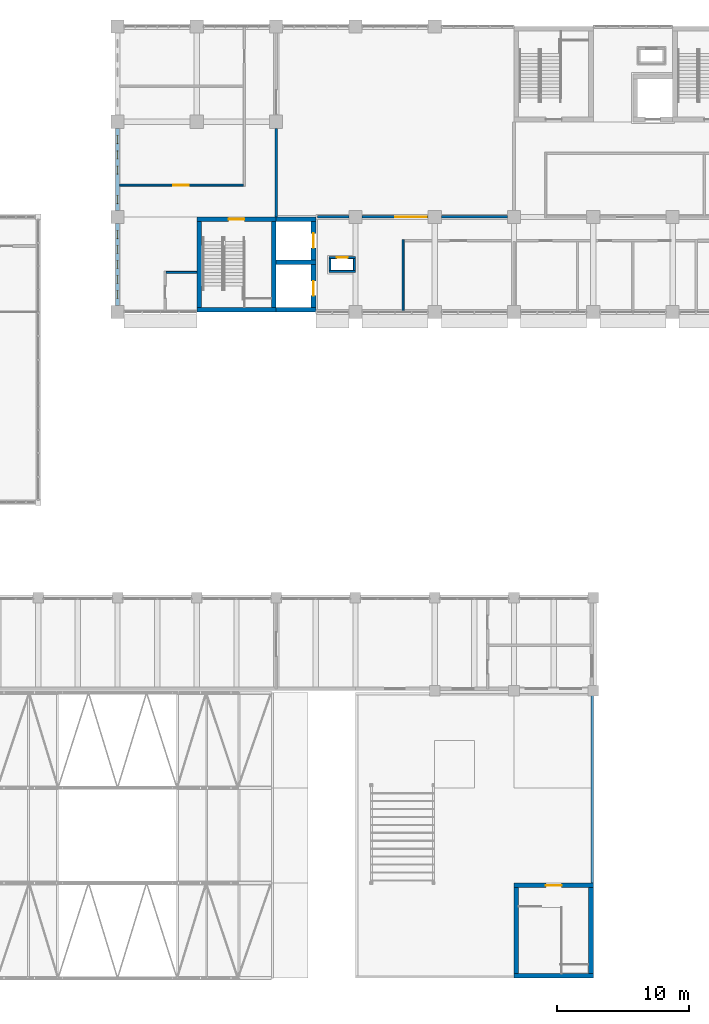
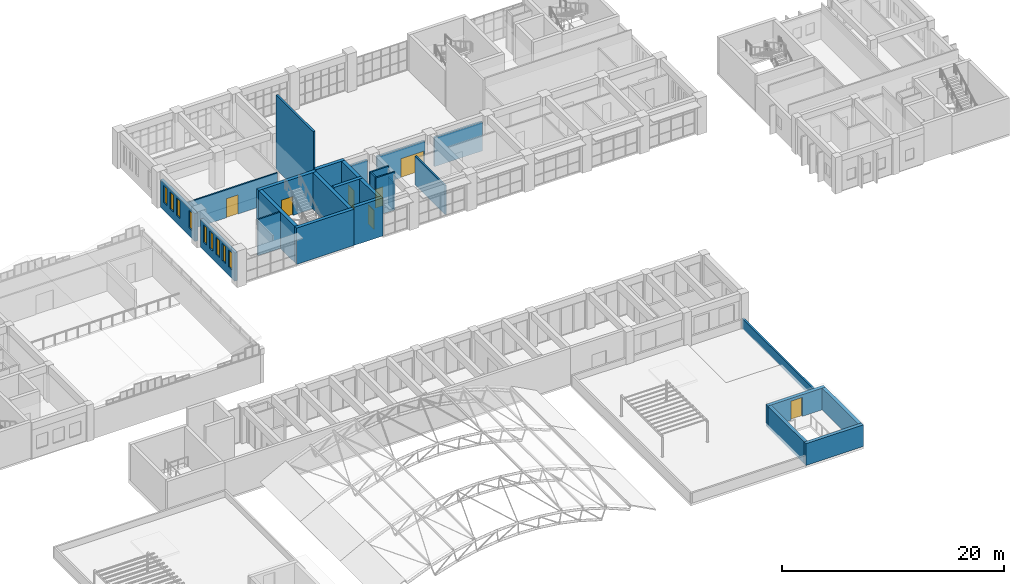
# One storey, part 63 of 92: 27 walls, 9 windows, 7 doors, 16 openings.
"""IFC4 building model written with IfcOpenShell, lengths in metres."""

import ifcopenshell
import ifcopenshell.guid

model = None  # the IFC model being written
_history = None  # IfcOwnerHistory: only IFC2X3 demands one
_inside = {}  # id of a spatial element -> (the spatial element, [elements in it])
_under = {}  # id of a project, library or spatial element -> (it, [spatial elements below it])
_declared = {}  # id of a project -> (the project, [libraries it declares])
_typed = {}  # id of a type object -> (the type object, [elements of that type])
_made_of = {}  # id of a material, layer set ... -> (it, [elements and type objects made of it])


def new_model(schema):
    """Start an empty IFC model of exactly this schema.

    Asked for "IFC4X3", IfcOpenShell would pick the latest addendum, in which some entities
    have other attributes; the version numbers below select the first issue.
    IFC2X3 requires an IfcOwnerHistory on every rooted entity: one is made here for all.
    """
    global model, _history
    if schema == "IFC4X3":
        model = ifcopenshell.file(schema_version=(4, 3, 0, 0))
    else:
        model = ifcopenshell.file(schema=schema)
    _inside.clear()
    _under.clear()
    _declared.clear()
    _typed.clear()
    _made_of.clear()
    _history = None
    if model.schema == "IFC2X3":
        org = make("IfcOrganization", Name="unknown")
        user = make(
            "IfcPersonAndOrganization",
            ThePerson=make("IfcPerson", FamilyName="unknown"),
            TheOrganization=org,
        )
        app = make(
            "IfcApplication",
            ApplicationDeveloper=org,
            Version="unknown",
            ApplicationFullName="unknown",
            ApplicationIdentifier="unknown",
        )
        _history = make(
            "IfcOwnerHistory",
            OwningUser=user,
            OwningApplication=app,
            ChangeAction="ADDED",
            CreationDate=0,
        )
    return model


def make(cls, **values):
    """One entity of the class cls with the attributes given. An attribute that is None is left unset."""
    return model.create_entity(
        cls, **{name: value for name, value in values.items() if value is not None}
    )


def rooted(cls, **values):
    """An entity with a GlobalId (a new one), such as an element, a storey or a relation."""
    return make(cls, GlobalId=ifcopenshell.guid.new(), OwnerHistory=_history, **values)


def si_unit(unit_type, name, prefix=None):
    """IfcSIUnit, for example si_unit("LENGTHUNIT", "METRE", prefix="MILLI")."""
    return make("IfcSIUnit", UnitType=unit_type, Prefix=prefix, Name=name)


def assignment(units):
    """IfcUnitAssignment: the units of a project."""
    return None if units is None else make("IfcUnitAssignment", Units=units)


def point(xyz):
    """IfcCartesianPoint."""
    return None if xyz is None else make("IfcCartesianPoint", Coordinates=xyz)


def direction(xyz):
    """IfcDirection."""
    return None if xyz is None else make("IfcDirection", DirectionRatios=xyz)


def frame(location, z_axis=None, x_axis=None):
    """IfcAxis2Placement3D, a coordinate frame: its origin and axes. An axis left out is left unset."""
    return make(
        "IfcAxis2Placement3D",
        Location=point(location),
        Axis=direction(z_axis),
        RefDirection=direction(x_axis),
    )


def frame_2d(location, x_axis=None):
    """IfcAxis2Placement2D, a coordinate frame in the plane: its origin and x axis."""
    return make(
        "IfcAxis2Placement2D", Location=point(location), RefDirection=direction(x_axis)
    )


def origin():
    """The frame at (0, 0, 0) with its axes left unset."""
    return frame((0.0, 0.0, 0.0))


def place(relative_to, where):
    """IfcLocalPlacement: puts the frame where relative to a parent placement (None: the world)."""
    return make(
        "IfcLocalPlacement", PlacementRelTo=relative_to, RelativePlacement=where
    )


def context(
    kind, dimensions, precision=None, world=None, true_north=None, identifier=None
):
    """IfcGeometricRepresentationContext, for example the 3D "Model" context."""
    return make(
        "IfcGeometricRepresentationContext",
        ContextIdentifier=identifier,
        ContextType=kind,
        CoordinateSpaceDimension=dimensions,
        Precision=precision,
        WorldCoordinateSystem=world,
        TrueNorth=true_north,
    )


def subcontext(parent, identifier, kind, view, scale=None):
    """IfcGeometricRepresentationSubContext, for example "Body" below "Model"."""
    return make(
        "IfcGeometricRepresentationSubContext",
        ContextIdentifier=identifier,
        ContextType=kind,
        ParentContext=parent,
        TargetScale=scale,
        TargetView=view,
    )


def project(units=None, contexts=None):
    """IfcProject with its units and contexts."""
    return rooted(
        "IfcProject",
        Name="project",
        RepresentationContexts=contexts,
        UnitsInContext=assignment(units),
    )


def spatial(cls, under=None, at=None, **own):
    """A site, building, storey or space (cls), placed at a placement, below another one or the project."""
    s = rooted(cls, ObjectPlacement=at, **own)
    if under is not None:
        _under.setdefault(under.id(), (under, []))[1].append(s)
    return s


def profile(cls, at=None, kind="AREA", **sizes):
    """A parametric profile (cls). Its sizes go by their IFC names, for example OverallWidth=200.0."""
    return make(cls, ProfileType=kind, Position=at, **sizes)


def rectangle(**sizes):
    """IfcRectangleProfileDef."""
    return profile("IfcRectangleProfileDef", **sizes)


def extrude(swept, where, along, depth):
    """IfcExtrudedAreaSolid: the profile swept, set in the frame where, extruded along a direction by depth."""
    return make(
        "IfcExtrudedAreaSolid",
        SweptArea=swept,
        Position=where,
        ExtrudedDirection=direction(along),
        Depth=depth,
    )


def shape(context_of_items, identifier, shape_type, items):
    """IfcShapeRepresentation: the items that make up one representation, for example the "Body"."""
    return make(
        "IfcShapeRepresentation",
        ContextOfItems=context_of_items,
        RepresentationIdentifier=identifier,
        RepresentationType=shape_type,
        Items=items,
    )


def material(Name=None, Category=None):
    """IfcMaterial."""
    return make("IfcMaterial", Name=Name, Category=Category)


def layer(
    of_material, thickness, ventilated=None, Name=None, Category=None, Priority=None
):
    """IfcMaterialLayer: one layer of a wall or slab, of a material (None: an air gap)."""
    return make(
        "IfcMaterialLayer",
        Material=of_material,
        LayerThickness=thickness,
        IsVentilated=ventilated,
        Name=Name,
        Category=Category,
        Priority=Priority,
    )


def layer_set(layers, Name=None):
    """IfcMaterialLayerSet."""
    return make("IfcMaterialLayerSet", MaterialLayers=layers, LayerSetName=Name)


def made_of(thing, what):
    """Note that an element or type object is made of a material, layer set ...; save() writes the relation."""
    if what is not None:
        _made_of.setdefault(what.id(), (what, []))[1].append(thing)
    return thing


def type_object(cls, material=None, **own):
    """A type object (cls), such as IfcWallType, which elements share."""
    return made_of(rooted(cls, **own), material)


def element(
    cls,
    number,
    at=None,
    inside=None,
    cuts=None,
    type_object=None,
    material=None,
    context=None,
    identifier="Body",
    shape_type=None,
    held_by="IfcProductDefinitionShape",
    body=None,
    shapes=None,
    **own,
):
    """One element of the class cls, such as IfcWall. Its Tag is "e" and its number.

    at: its placement. inside: the storey or other place that contains it. cuts: it is an
    opening in that element (IfcRelVoidsElement). A single representation is given by context,
    identifier, shape_type and body (its items); several are given by shapes. held_by: the class
    of the entity that holds the representations. save() writes the other relations.
    """
    e = rooted(cls, Tag="e%d" % number, ObjectPlacement=at, **own)
    if body is not None:
        shapes = [shape(context, identifier, shape_type, body)]
    if shapes is not None:
        e.Representation = make(held_by, Representations=shapes)
    if inside is not None:
        _inside.setdefault(inside.id(), (inside, []))[1].append(e)
    if cuts is not None:
        rooted(
            "IfcRelVoidsElement", RelatingBuildingElement=cuts, RelatedOpeningElement=e
        )
    if type_object is not None:
        _typed.setdefault(type_object.id(), (type_object, []))[1].append(e)
    return made_of(e, material)


def fill(opening, filler):
    """IfcRelFillsElement: the door or window that sits in an opening."""
    return rooted(
        "IfcRelFillsElement",
        RelatingOpeningElement=opening,
        RelatedBuildingElement=filler,
    )


def aggregate(whole, parts):
    """IfcRelAggregates: a whole, such as a stair, and the parts it consists of."""
    return rooted("IfcRelAggregates", RelatingObject=whole, RelatedObjects=parts)


def save(model, path):
    """Write the relations noted so far, then the file.

    IfcRelAggregates (storeys below a building ...), IfcRelContainedInSpatialStructure (elements
    in a storey), IfcRelDefinesByType, IfcRelAssociatesMaterial and IfcRelDeclares: one each for
    every whole, place, type object, material and project.
    """
    for whole, parts in _under.values():
        aggregate(whole, parts)
    for where, things in _inside.values():
        rooted(
            "IfcRelContainedInSpatialStructure",
            RelatedElements=things,
            RelatingStructure=where,
        )
    for kind, things in _typed.values():
        rooted("IfcRelDefinesByType", RelatedObjects=things, RelatingType=kind)
    for what, things in _made_of.values():
        rooted("IfcRelAssociatesMaterial", RelatedObjects=things, RelatingMaterial=what)
    for by, libraries in _declared.values():
        rooted("IfcRelDeclares", RelatingContext=by, RelatedDefinitions=libraries)
    model.write(path)


model = new_model("IFC4")

# Units and contexts
model_context = context("Model", 3, precision=1e-05, world=origin(), true_north=direction((0.0, 1.0)))
body_context = subcontext(model_context, "Body", "Model", "MODEL_VIEW")
ifc_project = project(units=[si_unit("LENGTHUNIT", "METRE"), si_unit("AREAUNIT", "SQUARE_METRE"), si_unit("VOLUMEUNIT", "CUBIC_METRE"), si_unit("PLANEANGLEUNIT", "RADIAN"), si_unit("MASSUNIT", "GRAM", prefix="KILO")], contexts=[model_context])

# Site, building, storey
site_placement = place(None, origin())
site = spatial("IfcSite", under=ifc_project, at=site_placement, CompositionType="ELEMENT")
building_placement = place(site_placement, origin())
building = spatial("IfcBuilding", under=site, at=building_placement, Name="Laocheng Heights Fire and Rescue Headquarters", CompositionType="ELEMENT")
storey_placement = place(building_placement, frame((0.0, 0.0, 12.60009765625)))
storey = spatial("IfcBuildingStorey", under=building, at=storey_placement, Name="L03", CompositionType="ELEMENT", Elevation=12.60009765625)

# Walls
ifc_material_1 = material(Name="Gypsum plaster")
ifc_layer_1 = layer(ifc_material_1, 0.010009765625, Name="PLASTER", Category="plaster")
ifc_material_2 = material(Name="Concrete blockwork MU10", Category="masonry")
ifc_layer_2 = layer(ifc_material_2, 0.1298828125, Name="BLOCKWORK", Category="masonry")
ifc_layer_3 = layer(ifc_material_1, 0.010009765625, Name="PLASTER", Category="plaster")
ifc_layer_set_1 = layer_set([ifc_layer_1, ifc_layer_2, ifc_layer_3], Name="Concrete blockwork MU10")
wall_type_1 = type_object("IfcWallType", Name="BLOCKWORK CORRIDOR WALL 150 EI 60 HQ WING", PredefinedType="PARTITIONING", material=ifc_layer_set_1)
wall_1_placement = place(storey_placement, frame((57.60009765625, 50.47509765625, 0.0), z_axis=(0.0, 0.0, 1.0), x_axis=(0.0, 1.0, 0.0)))
element("IfcWall", 1, at=wall_1_placement, inside=storey, type_object=wall_type_1, Name="Partition L03-005", PredefinedType="PARTITIONING", context=body_context, shape_type="SweptSolid", body=[
    extrude(rectangle(XDim=5.39990234375, YDim=0.14990234375, at=frame_2d((2.699951171875, 0.0))), origin(), (0.0, 0.0, 1.0), 3.199951171875),
])
wall_2_placement = place(storey_placement, frame((39.675048828125, 53.39990234375, 0.0), z_axis=(0.0, 0.0, 1.0), x_axis=(1.0, 0.0, 0.0)))
element("IfcWall", 2, at=wall_2_placement, inside=storey, type_object=wall_type_1, Name="Partition L03-013", PredefinedType="PARTITIONING", context=body_context, shape_type="SweptSolid", body=[
    extrude(rectangle(XDim=2.324951171875, YDim=0.14990234375, at=frame_2d((1.16259765625, 0.0))), origin(), (0.0, 0.0, 1.0), 4.0),
])

# Wall, opening, door
wall_3_placement = place(storey_placement, frame((36.14990234375, 60.0, 0.0), z_axis=(0.0, 0.0, 1.0), x_axis=(1.0, 0.0, 0.0)))
wall_3 = element("IfcWall", 3, at=wall_3_placement, inside=storey, type_object=wall_type_1, Name="Partition L03-022", PredefinedType="PARTITIONING", context=body_context, shape_type="SweptSolid", body=[
    extrude(rectangle(XDim=9.375, YDim=0.14990234375, at=frame_2d((4.6875, 0.0))), origin(), (0.0, 0.0, 1.0), 3.099853515625),
])
opening_1_placement = place(wall_3_placement, frame((4.050048828125, 0.0, 0.0)))
opening_1 = element("IfcOpeningElement", 4, at=opening_1_placement, cuts=wall_3, Name="Opening L03-Y12", PredefinedType="OPENING", context=body_context, shape_type="SweptSolid", body=[
    extrude(rectangle(XDim=1.199951171875, YDim=2.10009765625, at=frame_2d((0.60009765625, 1.050048828125))), frame((0.0, 0.0849609375, 0.0), z_axis=(0.0, -1.0, 0.0), x_axis=(1.0, 0.0, 0.0)), (0.0, 0.0, 1.0), 0.169921875),
])
ifc_material_3 = material(Name="Timber door leaf, veneered", Category="wood")
door_type_1 = type_object("IfcDoorType", Name="TIMBER DOOR 1200x2100 EI 30 HQ WING", OperationType="SINGLE_SWING_LEFT", PredefinedType="DOOR", material=ifc_material_3)
door_1_placement = place(opening_1_placement, origin())
door_1 = element("IfcDoor", 5, at=door_1_placement, inside=storey, type_object=door_type_1, Name="Door L03-Y12", OperationType="SINGLE_SWING_LEFT", OverallHeight=2.10009765625, OverallWidth=1.199951171875, PredefinedType="DOOR", context=body_context, shape_type="SweptSolid", body=[
    extrude(rectangle(XDim=1.199951171875, YDim=2.10009765625, at=frame_2d((0.60009765625, 1.050048828125))), frame((0.0, 0.02490234375, 0.0), z_axis=(0.0, -1.0, 0.0), x_axis=(1.0, 0.0, 0.0)), (0.0, 0.0, 1.0), 0.050048828125),
])
fill(opening_1, door_1)

# Walls
ifc_material_4 = material(Name="Gypsum plaster")
ifc_layer_4 = layer(ifc_material_4, 0.010009765625, Name="PLASTER", Category="plaster")
ifc_material_5 = material(Name="Concrete blockwork MU10", Category="masonry")
ifc_layer_5 = layer(ifc_material_5, 0.179931640625, Name="BLOCKWORK", Category="masonry")
ifc_layer_6 = layer(ifc_material_4, 0.010009765625, Name="PLASTER", Category="plaster")
ifc_layer_set_2 = layer_set([ifc_layer_4, ifc_layer_5, ifc_layer_6], Name="Concrete blockwork MU10")
wall_type_2 = type_object("IfcWallType", Name="BLOCKWORK FIRE PARTITION 200 EI 120 HQ WING", PredefinedType="PARTITIONING", material=ifc_layer_set_2)
wall_4_placement = place(storey_placement, frame((48.0, 57.60009765625, 0.0), z_axis=(0.0, 0.0, 1.0), x_axis=(0.0, 1.0, 0.0)))
element("IfcWall", 6, at=wall_4_placement, inside=storey, type_object=wall_type_2, Name="Partition L03-003", PredefinedType="PARTITIONING", context=body_context, shape_type="SweptSolid", body=[
    extrude(rectangle(XDim=6.699951171875, YDim=0.199951171875, at=frame_2d((3.35009765625, 0.0))), origin(), (0.0, 0.0, 1.0), 8.199951171875),
])
wall_5_placement = place(storey_placement, frame((51.125, 57.60009765625, 0.0), z_axis=(0.0, 0.0, 1.0), x_axis=(1.0, 0.0, 0.0)))
element("IfcWall", 7, at=wall_5_placement, inside=storey, type_object=wall_type_2, Name="Partition L03-016", PredefinedType="PARTITIONING", context=body_context, shape_type="SweptSolid", body=[
    extrude(rectangle(XDim=2.375, YDim=0.199951171875, at=frame_2d((1.1875, 0.0))), origin(), (0.0, 0.0, 1.0), 3.199951171875),
])

# Wall, opening, door
wall_6_placement = place(storey_placement, frame((54.5, 57.60009765625, 0.0), z_axis=(0.0, 0.0, 1.0), x_axis=(1.0, 0.0, 0.0)))
wall_6 = element("IfcWall", 8, at=wall_6_placement, inside=storey, type_object=wall_type_2, Name="Partition L03-017", PredefinedType="PARTITIONING", context=body_context, shape_type="SweptSolid", body=[
    extrude(rectangle(XDim=5.0, YDim=0.199951171875, at=frame_2d((2.5, 0.0))), origin(), (0.0, 0.0, 1.0), 3.199951171875),
])
opening_2_placement = place(wall_6_placement, frame((2.5, 0.0, 0.0)))
opening_2 = element("IfcOpeningElement", 9, at=opening_2_placement, cuts=wall_6, Name="Opening L03-Y09", PredefinedType="OPENING", context=body_context, shape_type="SweptSolid", body=[
    extrude(rectangle(XDim=2.39990234375, YDim=2.10009765625, at=frame_2d((1.199951171875, 1.050048828125))), frame((0.0, 0.10986328125, 0.0), z_axis=(0.0, -1.0, 0.0), x_axis=(1.0, 0.0, 0.0)), (0.0, 0.0, 1.0), 0.219970703125),
])
ifc_material_6 = material(Name="Steel door leaf, painted", Category="steel")
door_type_2 = type_object("IfcDoorType", Name="STEEL FIRE DOOR 2400x2100 EI 120 HQ WING", OperationType="DOUBLE_DOOR_SINGLE_SWING", PredefinedType="DOOR", material=ifc_material_6)
door_2_placement = place(opening_2_placement, origin())
door_2 = element("IfcDoor", 10, at=door_2_placement, inside=storey, type_object=door_type_2, Name="Door L03-Y09", OperationType="DOUBLE_DOOR_SINGLE_SWING", OverallHeight=2.10009765625, OverallWidth=2.39990234375, PredefinedType="DOOR", context=body_context, shape_type="SweptSolid", body=[
    extrude(rectangle(XDim=2.39990234375, YDim=2.10009765625, at=frame_2d((1.199951171875, 1.050048828125))), frame((0.0, 0.02490234375, 0.0), z_axis=(0.0, -1.0, 0.0), x_axis=(1.0, 0.0, 0.0)), (0.0, 0.0, 1.0), 0.050048828125),
])
fill(opening_2, door_2)

# Walls
wall_7_placement = place(storey_placement, frame((60.5, 57.60009765625, 0.0), z_axis=(0.0, 0.0, 1.0), x_axis=(1.0, 0.0, 0.0)))
element("IfcWall", 11, at=wall_7_placement, inside=storey, type_object=wall_type_2, Name="Partition L03-018", PredefinedType="PARTITIONING", context=body_context, shape_type="SweptSolid", body=[
    extrude(rectangle(XDim=5.0, YDim=0.199951171875, at=frame_2d((2.5, 0.0))), origin(), (0.0, 0.0, 1.0), 3.199951171875),
])
ifc_material_7 = material(Name="Precast concrete C40/50", Category="concrete")
ifc_layer_7 = layer(ifc_material_7, 0.179931640625)
ifc_layer_set_3 = layer_set([ifc_layer_7], Name="Precast concrete C40/50")
wall_type_3 = type_object("IfcWallType", Name="PRECAST PARAPET 200 x 1100", PredefinedType="PARAPET", material=ifc_layer_set_3)
wall_8_placement = place(storey_placement, frame((71.909912109375, 7.199951171875, 0.0), z_axis=(0.0, 0.0, 1.0), x_axis=(0.0, 1.0, 0.0)))
element("IfcWall", 12, at=wall_8_placement, inside=storey, type_object=wall_type_3, Name="Flank E parapet", PredefinedType="PARAPET", context=body_context, shape_type="SweptSolid", body=[
    extrude(rectangle(XDim=14.400146484375, YDim=0.179931640625, at=frame_2d((7.2001953125, 0.0))), origin(), (0.0, 0.0, 1.0), 1.099853515625),
])

# Wall, openings, windows
ifc_material_8 = material(Name="Precast concrete C40/50", Category="concrete")
ifc_layer_8 = layer(ifc_material_8, 0.300048828125)
ifc_layer_set_4 = layer_set([ifc_layer_8], Name="Precast concrete C40/50")
wall_type_4 = type_object("IfcWallType", Name="PRECAST WALL PANEL 300", PredefinedType="SOLIDWALL", material=ifc_layer_set_4)
wall_9_placement = place(storey_placement, frame((36.0, 50.89990234375, 0.0), z_axis=(0.0, 0.0, 1.0), x_axis=(0.0, 1.0, 0.0)))
wall_9 = element("IfcWall", 13, at=wall_9_placement, inside=storey, type_object=wall_type_4, Name="PRECAST WALL PANEL HQ WEST L03", PredefinedType="SOLIDWALL", context=body_context, shape_type="SweptSolid", body=[
    extrude(rectangle(XDim=6.2001953125, YDim=0.300048828125, at=frame_2d((3.10009765625, 0.0))), origin(), (0.0, 0.0, 1.0), 3.099853515625),
])
opening_3_placement = place(wall_9_placement, frame((0.533203125, 0.0, 0.89990234375)))
opening_3 = element("IfcOpeningElement", 14, at=opening_3_placement, cuts=wall_9, Name="Opening N1-X", PredefinedType="OPENING", context=body_context, shape_type="SweptSolid", body=[
    extrude(rectangle(XDim=0.60009765625, YDim=1.89990234375, at=frame_2d((0.300048828125, 0.949951171875))), frame((0.0, 0.159912109375, 0.0), z_axis=(0.0, -1.0, 0.0), x_axis=(1.0, 0.0, 0.0)), (0.0, 0.0, 1.0), 0.320068359375),
])
opening_4_placement = place(wall_9_placement, frame((1.666748046875, 0.0, 0.89990234375)))
opening_4 = element("IfcOpeningElement", 15, at=opening_4_placement, cuts=wall_9, Name="Opening N1-X", PredefinedType="OPENING", context=body_context, shape_type="SweptSolid", body=[
    extrude(rectangle(XDim=0.60009765625, YDim=1.89990234375, at=frame_2d((0.300048828125, 0.949951171875))), frame((0.0, 0.159912109375, 0.0), z_axis=(0.0, -1.0, 0.0), x_axis=(1.0, 0.0, 0.0)), (0.0, 0.0, 1.0), 0.320068359375),
])
opening_5_placement = place(wall_9_placement, frame((2.800048828125, 0.0, 0.89990234375)))
opening_5 = element("IfcOpeningElement", 16, at=opening_5_placement, cuts=wall_9, Name="Opening N1-X", PredefinedType="OPENING", context=body_context, shape_type="SweptSolid", body=[
    extrude(rectangle(XDim=0.60009765625, YDim=1.89990234375, at=frame_2d((0.300048828125, 0.949951171875))), frame((0.0, 0.159912109375, 0.0), z_axis=(0.0, -1.0, 0.0), x_axis=(1.0, 0.0, 0.0)), (0.0, 0.0, 1.0), 0.320068359375),
])
opening_6_placement = place(wall_9_placement, frame((3.933349609375, 0.0, 0.89990234375)))
opening_6 = element("IfcOpeningElement", 17, at=opening_6_placement, cuts=wall_9, Name="Opening N1-X", PredefinedType="OPENING", context=body_context, shape_type="SweptSolid", body=[
    extrude(rectangle(XDim=0.60009765625, YDim=1.89990234375, at=frame_2d((0.300048828125, 0.949951171875))), frame((0.0, 0.159912109375, 0.0), z_axis=(0.0, -1.0, 0.0), x_axis=(1.0, 0.0, 0.0)), (0.0, 0.0, 1.0), 0.320068359375),
])
opening_7_placement = place(wall_9_placement, frame((5.066650390625, 0.0, 0.89990234375)))
opening_7 = element("IfcOpeningElement", 18, at=opening_7_placement, cuts=wall_9, Name="Opening N1-X", PredefinedType="OPENING", context=body_context, shape_type="SweptSolid", body=[
    extrude(rectangle(XDim=0.60009765625, YDim=1.89990234375, at=frame_2d((0.300048828125, 0.949951171875))), frame((0.0, 0.159912109375, 0.0), z_axis=(0.0, -1.0, 0.0), x_axis=(1.0, 0.0, 0.0)), (0.0, 0.0, 1.0), 0.320068359375),
])
ifc_material_9 = material(Name="Low-e double glazing in aluminium frame", Category="aluminium")
window_type = type_object("IfcWindowType", Name="WINDOW 600 x 1900 HQ END SLOT", PartitioningType="SINGLE_PANEL", PredefinedType="WINDOW", material=ifc_material_9)
window_1_placement = place(opening_3_placement, origin())
window_1 = element("IfcWindow", 19, at=window_1_placement, inside=storey, type_object=window_type, Name="HQ END SLOT HQ WEST L03", OverallHeight=1.89990234375, OverallWidth=0.60009765625, PartitioningType="SINGLE_PANEL", PredefinedType="WINDOW", context=body_context, shape_type="SweptSolid", body=[
    extrude(rectangle(XDim=0.60009765625, YDim=1.89990234375, at=frame_2d((0.300048828125, 0.949951171875))), frame((0.0, 0.030029296875, 0.0), z_axis=(0.0, -1.0, 0.0), x_axis=(1.0, 0.0, 0.0)), (0.0, 0.0, 1.0), 0.06005859375),
])
fill(opening_3, window_1)
window_2_placement = place(opening_4_placement, origin())
window_2 = element("IfcWindow", 20, at=window_2_placement, inside=storey, type_object=window_type, Name="HQ END SLOT HQ WEST L03", OverallHeight=1.89990234375, OverallWidth=0.60009765625, PartitioningType="SINGLE_PANEL", PredefinedType="WINDOW", context=body_context, shape_type="SweptSolid", body=[
    extrude(rectangle(XDim=0.60009765625, YDim=1.89990234375, at=frame_2d((0.300048828125, 0.949951171875))), frame((0.0, 0.030029296875, 0.0), z_axis=(0.0, -1.0, 0.0), x_axis=(1.0, 0.0, 0.0)), (0.0, 0.0, 1.0), 0.06005859375),
])
fill(opening_4, window_2)
window_3_placement = place(opening_5_placement, origin())
window_3 = element("IfcWindow", 21, at=window_3_placement, inside=storey, type_object=window_type, Name="HQ END SLOT HQ WEST L03", OverallHeight=1.89990234375, OverallWidth=0.60009765625, PartitioningType="SINGLE_PANEL", PredefinedType="WINDOW", context=body_context, shape_type="SweptSolid", body=[
    extrude(rectangle(XDim=0.60009765625, YDim=1.89990234375, at=frame_2d((0.300048828125, 0.949951171875))), frame((0.0, 0.030029296875, 0.0), z_axis=(0.0, -1.0, 0.0), x_axis=(1.0, 0.0, 0.0)), (0.0, 0.0, 1.0), 0.06005859375),
])
fill(opening_5, window_3)
window_4_placement = place(opening_6_placement, origin())
window_4 = element("IfcWindow", 22, at=window_4_placement, inside=storey, type_object=window_type, Name="HQ END SLOT HQ WEST L03", OverallHeight=1.89990234375, OverallWidth=0.60009765625, PartitioningType="SINGLE_PANEL", PredefinedType="WINDOW", context=body_context, shape_type="SweptSolid", body=[
    extrude(rectangle(XDim=0.60009765625, YDim=1.89990234375, at=frame_2d((0.300048828125, 0.949951171875))), frame((0.0, 0.030029296875, 0.0), z_axis=(0.0, -1.0, 0.0), x_axis=(1.0, 0.0, 0.0)), (0.0, 0.0, 1.0), 0.06005859375),
])
fill(opening_6, window_4)
window_5_placement = place(opening_7_placement, origin())
window_5 = element("IfcWindow", 23, at=window_5_placement, inside=storey, type_object=window_type, Name="HQ END SLOT HQ WEST L03", OverallHeight=1.89990234375, OverallWidth=0.60009765625, PartitioningType="SINGLE_PANEL", PredefinedType="WINDOW", context=body_context, shape_type="SweptSolid", body=[
    extrude(rectangle(XDim=0.60009765625, YDim=1.89990234375, at=frame_2d((0.300048828125, 0.949951171875))), frame((0.0, 0.030029296875, 0.0), z_axis=(0.0, -1.0, 0.0), x_axis=(1.0, 0.0, 0.0)), (0.0, 0.0, 1.0), 0.06005859375),
])
fill(opening_7, window_5)

wall_10_placement = place(storey_placement, frame((36.0, 58.10009765625, 0.0), z_axis=(0.0, 0.0, 1.0), x_axis=(0.0, 1.0, 0.0)))
wall_10 = element("IfcWall", 24, at=wall_10_placement, inside=storey, type_object=wall_type_4, Name="PRECAST WALL PANEL HQ WEST L03", PredefinedType="SOLIDWALL", context=body_context, shape_type="SweptSolid", body=[
    extrude(rectangle(XDim=6.199951171875, YDim=0.300048828125, at=frame_2d((3.10009765625, 0.0))), origin(), (0.0, 0.0, 1.0), 3.099853515625),
])
opening_8_placement = place(wall_10_placement, frame((0.510009765625, 0.0, 0.89990234375)))
opening_8 = element("IfcOpeningElement", 25, at=opening_8_placement, cuts=wall_10, Name="Opening N1-X", PredefinedType="OPENING", context=body_context, shape_type="SweptSolid", body=[
    extrude(rectangle(XDim=0.60009765625, YDim=1.89990234375, at=frame_2d((0.300048828125, 0.949951171875))), frame((0.0, 0.159912109375, 0.0), z_axis=(0.0, -1.0, 0.0), x_axis=(1.0, 0.0, 0.0)), (0.0, 0.0, 1.0), 0.320068359375),
])
opening_9_placement = place(wall_10_placement, frame((2.735107421875, 0.0, 0.89990234375)))
opening_9 = element("IfcOpeningElement", 26, at=opening_9_placement, cuts=wall_10, Name="Opening N1-X", PredefinedType="OPENING", context=body_context, shape_type="SweptSolid", body=[
    extrude(rectangle(XDim=0.60009765625, YDim=1.89990234375, at=frame_2d((0.300048828125, 0.949951171875))), frame((0.0, 0.159912109375, 0.0), z_axis=(0.0, -1.0, 0.0), x_axis=(1.0, 0.0, 0.0)), (0.0, 0.0, 1.0), 0.320068359375),
])
opening_10_placement = place(wall_10_placement, frame((3.889892578125, 0.0, 0.89990234375)))
opening_10 = element("IfcOpeningElement", 27, at=opening_10_placement, cuts=wall_10, Name="Opening N1-X", PredefinedType="OPENING", context=body_context, shape_type="SweptSolid", body=[
    extrude(rectangle(XDim=0.60009765625, YDim=1.89990234375, at=frame_2d((0.300048828125, 0.949951171875))), frame((0.0, 0.159912109375, 0.0), z_axis=(0.0, -1.0, 0.0), x_axis=(1.0, 0.0, 0.0)), (0.0, 0.0, 1.0), 0.320068359375),
])
opening_11_placement = place(wall_10_placement, frame((5.044921875, 0.0, 0.89990234375)))
opening_11 = element("IfcOpeningElement", 28, at=opening_11_placement, cuts=wall_10, Name="Opening N1-X", PredefinedType="OPENING", context=body_context, shape_type="SweptSolid", body=[
    extrude(rectangle(XDim=0.60009765625, YDim=1.89990234375, at=frame_2d((0.300048828125, 0.949951171875))), frame((0.0, 0.159912109375, 0.0), z_axis=(0.0, -1.0, 0.0), x_axis=(1.0, 0.0, 0.0)), (0.0, 0.0, 1.0), 0.320068359375),
])
window_6_placement = place(opening_8_placement, origin())
window_6 = element("IfcWindow", 29, at=window_6_placement, inside=storey, type_object=window_type, Name="HQ END SLOT HQ WEST L03", OverallHeight=1.89990234375, OverallWidth=0.60009765625, PartitioningType="SINGLE_PANEL", PredefinedType="WINDOW", context=body_context, shape_type="SweptSolid", body=[
    extrude(rectangle(XDim=0.60009765625, YDim=1.89990234375, at=frame_2d((0.300048828125, 0.949951171875))), frame((0.0, 0.030029296875, 0.0), z_axis=(0.0, -1.0, 0.0), x_axis=(1.0, 0.0, 0.0)), (0.0, 0.0, 1.0), 0.06005859375),
])
fill(opening_8, window_6)
window_7_placement = place(opening_9_placement, origin())
window_7 = element("IfcWindow", 30, at=window_7_placement, inside=storey, type_object=window_type, Name="HQ END SLOT HQ WEST L03", OverallHeight=1.89990234375, OverallWidth=0.60009765625, PartitioningType="SINGLE_PANEL", PredefinedType="WINDOW", context=body_context, shape_type="SweptSolid", body=[
    extrude(rectangle(XDim=0.60009765625, YDim=1.89990234375, at=frame_2d((0.300048828125, 0.949951171875))), frame((0.0, 0.030029296875, 0.0), z_axis=(0.0, -1.0, 0.0), x_axis=(1.0, 0.0, 0.0)), (0.0, 0.0, 1.0), 0.06005859375),
])
fill(opening_9, window_7)
window_8_placement = place(opening_10_placement, origin())
window_8 = element("IfcWindow", 31, at=window_8_placement, inside=storey, type_object=window_type, Name="HQ END SLOT HQ WEST L03", OverallHeight=1.89990234375, OverallWidth=0.60009765625, PartitioningType="SINGLE_PANEL", PredefinedType="WINDOW", context=body_context, shape_type="SweptSolid", body=[
    extrude(rectangle(XDim=0.60009765625, YDim=1.89990234375, at=frame_2d((0.300048828125, 0.949951171875))), frame((0.0, 0.030029296875, 0.0), z_axis=(0.0, -1.0, 0.0), x_axis=(1.0, 0.0, 0.0)), (0.0, 0.0, 1.0), 0.06005859375),
])
fill(opening_10, window_8)
window_9_placement = place(opening_11_placement, origin())
window_9 = element("IfcWindow", 32, at=window_9_placement, inside=storey, type_object=window_type, Name="HQ END SLOT HQ WEST L03", OverallHeight=1.89990234375, OverallWidth=0.60009765625, PartitioningType="SINGLE_PANEL", PredefinedType="WINDOW", context=body_context, shape_type="SweptSolid", body=[
    extrude(rectangle(XDim=0.60009765625, YDim=1.89990234375, at=frame_2d((0.300048828125, 0.949951171875))), frame((0.0, 0.030029296875, 0.0), z_axis=(0.0, -1.0, 0.0), x_axis=(1.0, 0.0, 0.0)), (0.0, 0.0, 1.0), 0.06005859375),
])
fill(opening_11, window_9)

# Walls
ifc_material_10 = material(Name="Concrete C50", Category="concrete")
ifc_layer_9 = layer(ifc_material_10, 0.35009765625)
ifc_layer_set_5 = layer_set([ifc_layer_9], Name="Concrete C50")
wall_type_5 = type_object("IfcWallType", Name="RC LIFT SHAFT WALL 350", PredefinedType="SHEAR", material=ifc_layer_set_5)
for number, where, z_axis, x_axis, name in (
    (33, (48.0, 54.175048828125, 0.0), (0.0, 0.0, 1.0), (1.0, 0.0, 0.0), "Lift shaft wall"),
    (34, (48.0, 57.425048828125, 0.0), (0.0, 0.0, 1.0), (1.0, 0.0, 0.0), "Lift shaft wall"),
):
    element("IfcWall", number, at=place(storey_placement, frame(where, z_axis=z_axis, x_axis=x_axis)), inside=storey, type_object=wall_type_5, Name=name, PredefinedType="SHEAR", context=body_context, shape_type="SweptSolid", body=[
        extrude(rectangle(XDim=3.0, YDim=0.35009765625, at=frame_2d((1.5, 0.0))), origin(), (0.0, 0.0, 1.0), 4.199951171875),
    ])

# Wall, opening, door
wall_11_placement = place(storey_placement, frame((50.824951171875, 54.35009765625, 0.0), z_axis=(0.0, 0.0, 1.0), x_axis=(0.0, 1.0, 0.0)))
wall_11 = element("IfcWall", 35, at=wall_11_placement, inside=storey, type_object=wall_type_5, Name="Lift shaft wall", PredefinedType="SHEAR", context=body_context, shape_type="SweptSolid", body=[
    extrude(rectangle(XDim=2.89990234375, YDim=0.35009765625, at=frame_2d((1.449951171875, 0.0))), origin(), (0.0, 0.0, 1.0), 4.199951171875),
])
opening_12_placement = place(wall_11_placement, frame((0.89990234375, 0.0, 0.0)))
opening_12 = element("IfcOpeningElement", 36, at=opening_12_placement, cuts=wall_11, Name="Opening L03-K15", PredefinedType="OPENING", context=body_context, shape_type="SweptSolid", body=[
    extrude(rectangle(XDim=1.10009765625, YDim=2.10009765625, at=frame_2d((0.550048828125, 1.050048828125))), frame((0.0, 0.18505859375, 0.0), z_axis=(0.0, -1.0, 0.0), x_axis=(1.0, 0.0, 0.0)), (0.0, 0.0, 1.0), 0.3701171875),
])
ifc_material_11 = material(Name="Stainless steel", Category="steel")
door_type_3 = type_object("IfcDoorType", Name="LANDING DOOR H-L1 SLIDING 1100x2100 E 120", OperationType="DOUBLE_DOOR_SLIDING", PredefinedType="DOOR", material=ifc_material_11)
door_3_placement = place(opening_12_placement, origin())
door_3 = element("IfcDoor", 37, at=door_3_placement, inside=storey, type_object=door_type_3, Name="Landing door H-L1", OperationType="DOUBLE_DOOR_SLIDING", OverallHeight=2.10009765625, OverallWidth=1.10009765625, PredefinedType="DOOR", context=body_context, shape_type="SweptSolid", body=[
    extrude(rectangle(XDim=1.10009765625, YDim=2.10009765625, at=frame_2d((0.550048828125, 1.050048828125))), frame((0.0, 0.02490234375, 0.0), z_axis=(0.0, -1.0, 0.0), x_axis=(1.0, 0.0, 0.0)), (0.0, 0.0, 1.0), 0.050048828125),
])
fill(opening_12, door_3)

# Wall
wall_12_placement = place(storey_placement, frame((48.0, 50.574951171875, 0.0), z_axis=(0.0, 0.0, 1.0), x_axis=(1.0, 0.0, 0.0)))
element("IfcWall", 38, at=wall_12_placement, inside=storey, type_object=wall_type_5, Name="Lift shaft wall", PredefinedType="SHEAR", context=body_context, shape_type="SweptSolid", body=[
    extrude(rectangle(XDim=3.0, YDim=0.35009765625, at=frame_2d((1.5, 0.0))), origin(), (0.0, 0.0, 1.0), 4.199951171875),
])

# Wall, opening, door
wall_13_placement = place(storey_placement, frame((50.824951171875, 50.75, 0.0), z_axis=(0.0, 0.0, 1.0), x_axis=(0.0, 1.0, 0.0)))
wall_13 = element("IfcWall", 39, at=wall_13_placement, inside=storey, type_object=wall_type_5, Name="Lift shaft wall", PredefinedType="SHEAR", context=body_context, shape_type="SweptSolid", body=[
    extrude(rectangle(XDim=3.25, YDim=0.35009765625, at=frame_2d((1.625, 0.0))), origin(), (0.0, 0.0, 1.0), 4.199951171875),
])
opening_13_placement = place(wall_13_placement, frame((0.89990234375, 0.0, 0.0)))
opening_13 = element("IfcOpeningElement", 40, at=opening_13_placement, cuts=wall_13, Name="Opening L03-K16", PredefinedType="OPENING", context=body_context, shape_type="SweptSolid", body=[
    extrude(rectangle(XDim=1.10009765625, YDim=2.10009765625, at=frame_2d((0.550048828125, 1.050048828125))), frame((0.0, 0.18505859375, 0.0), z_axis=(0.0, -1.0, 0.0), x_axis=(1.0, 0.0, 0.0)), (0.0, 0.0, 1.0), 0.3701171875),
])
ifc_material_12 = material(Name="Stainless steel", Category="steel")
door_type_4 = type_object("IfcDoorType", Name="LANDING DOOR H-L3 SLIDING 1100x2100 E 120", OperationType="DOUBLE_DOOR_SLIDING", PredefinedType="DOOR", material=ifc_material_12)
door_4_placement = place(opening_13_placement, origin())
door_4 = element("IfcDoor", 41, at=door_4_placement, inside=storey, type_object=door_type_4, Name="Landing door H-L3", OperationType="DOUBLE_DOOR_SLIDING", OverallHeight=2.10009765625, OverallWidth=1.10009765625, PredefinedType="DOOR", context=body_context, shape_type="SweptSolid", body=[
    extrude(rectangle(XDim=1.10009765625, YDim=2.10009765625, at=frame_2d((0.550048828125, 1.050048828125))), frame((0.0, 0.02490234375, 0.0), z_axis=(0.0, -1.0, 0.0), x_axis=(1.0, 0.0, 0.0)), (0.0, 0.0, 1.0), 0.050048828125),
])
fill(opening_13, door_4)

# Wall
ifc_material_13 = material(Name="Concrete C50", Category="concrete")
ifc_layer_10 = layer(ifc_material_13, 0.35009765625)
ifc_layer_set_6 = layer_set([ifc_layer_10], Name="Concrete C50")
wall_type_6 = type_object("IfcWallType", Name="RC STAIR ENCLOSURE WALL 350", PredefinedType="SHEAR", material=ifc_layer_set_6)
wall_14_placement = place(storey_placement, frame((66.0, 0.175048828125, 0.0), z_axis=(0.0, 0.0, 1.0), x_axis=(1.0, 0.0, 0.0)))
element("IfcWall", 42, at=wall_14_placement, inside=storey, type_object=wall_type_6, Name="Stair enclosure wall", PredefinedType="SHEAR", context=body_context, shape_type="SweptSolid", body=[
    extrude(rectangle(XDim=6.0, YDim=0.35009765625, at=frame_2d((3.0, 0.0))), origin(), (0.0, 0.0, 1.0), 2.39990234375),
])

# Wall, opening, door
wall_15_placement = place(storey_placement, frame((66.0, 7.02490234375, 0.0), z_axis=(0.0, 0.0, 1.0), x_axis=(1.0, 0.0, 0.0)))
wall_15 = element("IfcWall", 43, at=wall_15_placement, inside=storey, type_object=wall_type_6, Name="Stair enclosure wall", PredefinedType="SHEAR", context=body_context, shape_type="SweptSolid", body=[
    extrude(rectangle(XDim=6.0, YDim=0.35009765625, at=frame_2d((3.0, 0.0))), origin(), (0.0, 0.0, 1.0), 2.39990234375),
])
opening_14_placement = place(wall_15_placement, frame((2.39990234375, 0.0, 0.0)))
opening_14 = element("IfcOpeningElement", 44, at=opening_14_placement, cuts=wall_15, Name="Opening L03-K02", PredefinedType="OPENING", context=body_context, shape_type="SweptSolid", body=[
    extrude(rectangle(XDim=1.199951171875, YDim=2.10009765625, at=frame_2d((0.60009765625, 1.050048828125))), frame((0.0, 0.18505859375, 0.0), z_axis=(0.0, -1.0, 0.0), x_axis=(1.0, 0.0, 0.0)), (0.0, 0.0, 1.0), 0.3701171875),
])
ifc_material_14 = material(Name="Painted steel", Category="steel")
door_type_5 = type_object("IfcDoorType", Name="FIRE DOOR 1200x2100 EI 60", OperationType="SINGLE_SWING_LEFT", PredefinedType="DOOR", material=ifc_material_14)
door_5_placement = place(opening_14_placement, origin())
door_5 = element("IfcDoor", 45, at=door_5_placement, inside=storey, type_object=door_type_5, Name="Stair E2 garden door", OperationType="SINGLE_SWING_RIGHT", OverallHeight=2.10009765625, OverallWidth=1.199951171875, PredefinedType="DOOR", context=body_context, shape_type="SweptSolid", body=[
    extrude(rectangle(XDim=1.199951171875, YDim=2.10009765625, at=frame_2d((0.60009765625, 1.050048828125))), frame((0.0, 0.02490234375, 0.0), z_axis=(0.0, -1.0, 0.0), x_axis=(1.0, 0.0, 0.0)), (0.0, 0.0, 1.0), 0.050048828125),
])
fill(opening_14, door_5)

# Walls
for number, where, z_axis, x_axis, name in (
    (46, (66.175048828125, 0.35009765625, 0.0), (0.0, 0.0, 1.0), (0.0, 1.0, 0.0), "Stair enclosure wall"),
    (47, (71.824951171875, 0.35009765625, 0.0), (0.0, 0.0, 1.0), (0.0, 1.0, 0.0), "Stair enclosure wall"),
):
    element("IfcWall", number, at=place(storey_placement, frame(where, z_axis=z_axis, x_axis=x_axis)), inside=storey, type_object=wall_type_6, Name=name, PredefinedType="SHEAR", context=body_context, shape_type="SweptSolid", body=[
        extrude(rectangle(XDim=6.5, YDim=0.35009765625, at=frame_2d((3.25, 0.0))), origin(), (0.0, 0.0, 1.0), 2.39990234375),
    ])
wall_16_placement = place(storey_placement, frame((42.0, 50.574951171875, 0.0), z_axis=(0.0, 0.0, 1.0), x_axis=(1.0, 0.0, 0.0)))
element("IfcWall", 48, at=wall_16_placement, inside=storey, type_object=wall_type_6, Name="Stair enclosure wall", PredefinedType="SHEAR", context=body_context, shape_type="SweptSolid", body=[
    extrude(rectangle(XDim=6.0, YDim=0.35009765625, at=frame_2d((3.0, 0.0))), origin(), (0.0, 0.0, 1.0), 4.0),
])

# Wall, opening, door
wall_17_placement = place(storey_placement, frame((42.0, 57.425048828125, 0.0), z_axis=(0.0, 0.0, 1.0), x_axis=(1.0, 0.0, 0.0)))
wall_17 = element("IfcWall", 49, at=wall_17_placement, inside=storey, type_object=wall_type_6, Name="Stair enclosure wall", PredefinedType="SHEAR", context=body_context, shape_type="SweptSolid", body=[
    extrude(rectangle(XDim=6.0, YDim=0.35009765625, at=frame_2d((3.0, 0.0))), origin(), (0.0, 0.0, 1.0), 4.0),
])
opening_15_placement = place(wall_17_placement, frame((2.39990234375, 0.0, 0.0)))
opening_15 = element("IfcOpeningElement", 50, at=opening_15_placement, cuts=wall_17, Name="Opening L03-K14", PredefinedType="OPENING", context=body_context, shape_type="SweptSolid", body=[
    extrude(rectangle(XDim=1.199951171875, YDim=2.10009765625, at=frame_2d((0.60009765625, 1.050048828125))), frame((0.0, 0.18505859375, 0.0), z_axis=(0.0, -1.0, 0.0), x_axis=(1.0, 0.0, 0.0)), (0.0, 0.0, 1.0), 0.3701171875),
])
door_6_placement = place(opening_15_placement, frame((1.199951171875, 0.0, 0.0), z_axis=(0.0, 0.0, 1.0), x_axis=(-1.0, 0.0, 0.0)))
door_6 = element("IfcDoor", 51, at=door_6_placement, inside=storey, type_object=door_type_5, Name="Stair H1 door", OperationType="SINGLE_SWING_RIGHT", OverallHeight=2.10009765625, OverallWidth=1.199951171875, PredefinedType="DOOR", context=body_context, shape_type="SweptSolid", body=[
    extrude(rectangle(XDim=1.199951171875, YDim=2.10009765625, at=frame_2d((0.60009765625, 1.050048828125))), frame((0.0, 0.02490234375, 0.0), z_axis=(0.0, -1.0, 0.0), x_axis=(1.0, 0.0, 0.0)), (0.0, 0.0, 1.0), 0.050048828125),
])
fill(opening_15, door_6)

# Walls
for number, where, z_axis, x_axis, name in (
    (52, (42.175048828125, 50.75, 0.0), (0.0, 0.0, 1.0), (0.0, 1.0, 0.0), "Stair enclosure wall"),
    (53, (47.824951171875, 50.75, 0.0), (0.0, 0.0, 1.0), (0.0, 1.0, 0.0), "Stair enclosure wall"),
):
    element("IfcWall", number, at=place(storey_placement, frame(where, z_axis=z_axis, x_axis=x_axis)), inside=storey, type_object=wall_type_6, Name=name, PredefinedType="SHEAR", context=body_context, shape_type="SweptSolid", body=[
        extrude(rectangle(XDim=6.5, YDim=0.35009765625, at=frame_2d((3.25, 0.0))), origin(), (0.0, 0.0, 1.0), 4.0),
    ])
ifc_material_15 = material(Name="Concrete C30", Category="concrete")
ifc_layer_11 = layer(ifc_material_15, 0.14990234375)
ifc_layer_set_7 = layer_set([ifc_layer_11], Name="Concrete C30")
wall_type_7 = type_object("IfcWallType", Name="RISER SHAFT WALL 150", PredefinedType="SOLIDWALL", material=ifc_layer_set_7)
wall_18_placement = place(storey_placement, frame((52.0, 53.47509765625, 0.0), z_axis=(0.0, 0.0, 1.0), x_axis=(1.0, 0.0, 0.0)))
element("IfcWall", 54, at=wall_18_placement, inside=storey, type_object=wall_type_7, Name="Riser shaft wall", PredefinedType="SOLIDWALL", context=body_context, shape_type="SweptSolid", body=[
    extrude(rectangle(XDim=2.0, YDim=0.14990234375, at=frame_2d((1.0, 0.0))), origin(), (0.0, 0.0, 1.0), 4.199951171875),
])

# Wall, opening, door
wall_19_placement = place(storey_placement, frame((52.0, 54.52490234375, 0.0), z_axis=(0.0, 0.0, 1.0), x_axis=(1.0, 0.0, 0.0)))
wall_19 = element("IfcWall", 55, at=wall_19_placement, inside=storey, type_object=wall_type_7, Name="Riser shaft wall", PredefinedType="SOLIDWALL", context=body_context, shape_type="SweptSolid", body=[
    extrude(rectangle(XDim=2.0, YDim=0.14990234375, at=frame_2d((1.0, 0.0))), origin(), (0.0, 0.0, 1.0), 4.199951171875),
])
opening_16_placement = place(wall_19_placement, frame((0.60009765625, 0.0, 0.0)))
opening_16 = element("IfcOpeningElement", 56, at=opening_16_placement, cuts=wall_19, Name="Opening L03-K17", PredefinedType="OPENING", context=body_context, shape_type="SweptSolid", body=[
    extrude(rectangle(XDim=0.800048828125, YDim=2.10009765625, at=frame_2d((0.39990234375, 1.050048828125))), frame((0.0, 0.0849609375, 0.0), z_axis=(0.0, -1.0, 0.0), x_axis=(1.0, 0.0, 0.0)), (0.0, 0.0, 1.0), 0.169921875),
])
ifc_material_16 = material(Name="Painted steel", Category="steel")
door_type_6 = type_object("IfcDoorType", Name="RISER ACCESS DOOR 800x2100 EI 30", OperationType="SINGLE_SWING_LEFT", PredefinedType="DOOR", material=ifc_material_16)
door_7_placement = place(opening_16_placement, origin())
door_7 = element("IfcDoor", 57, at=door_7_placement, inside=storey, type_object=door_type_6, Name="Riser RH1 access door", OperationType="SINGLE_SWING_LEFT", OverallHeight=2.10009765625, OverallWidth=0.800048828125, PredefinedType="DOOR", context=body_context, shape_type="SweptSolid", body=[
    extrude(rectangle(XDim=0.800048828125, YDim=2.10009765625, at=frame_2d((0.39990234375, 1.050048828125))), frame((0.0, 0.02490234375, 0.0), z_axis=(0.0, -1.0, 0.0), x_axis=(1.0, 0.0, 0.0)), (0.0, 0.0, 1.0), 0.050048828125),
])
fill(opening_16, door_7)

# Walls
wall_20_placement = place(storey_placement, frame((52.074951171875, 53.550048828125, 0.0), z_axis=(0.0, 0.0, 1.0), x_axis=(0.0, 1.0, 0.0)))
element("IfcWall", 58, at=wall_20_placement, inside=storey, type_object=wall_type_7, Name="Riser shaft wall", PredefinedType="SOLIDWALL", context=body_context, shape_type="SweptSolid", body=[
    extrude(rectangle(XDim=0.89990234375, YDim=0.14990234375, at=frame_2d((0.449951171875, 0.0))), origin(), (0.0, 0.0, 1.0), 4.199951171875),
])
wall_21_placement = place(storey_placement, frame((53.925048828125, 53.550048828125, 0.0), z_axis=(0.0, 0.0, 1.0), x_axis=(0.0, 1.0, 0.0)))
element("IfcWall", 59, at=wall_21_placement, inside=storey, type_object=wall_type_7, Name="Riser shaft wall", PredefinedType="SOLIDWALL", context=body_context, shape_type="SweptSolid", body=[
    extrude(rectangle(XDim=0.89990234375, YDim=0.14990234375, at=frame_2d((0.449951171875, 0.0))), origin(), (0.0, 0.0, 1.0), 3.099853515625),
])

save(model, "model.ifc")
